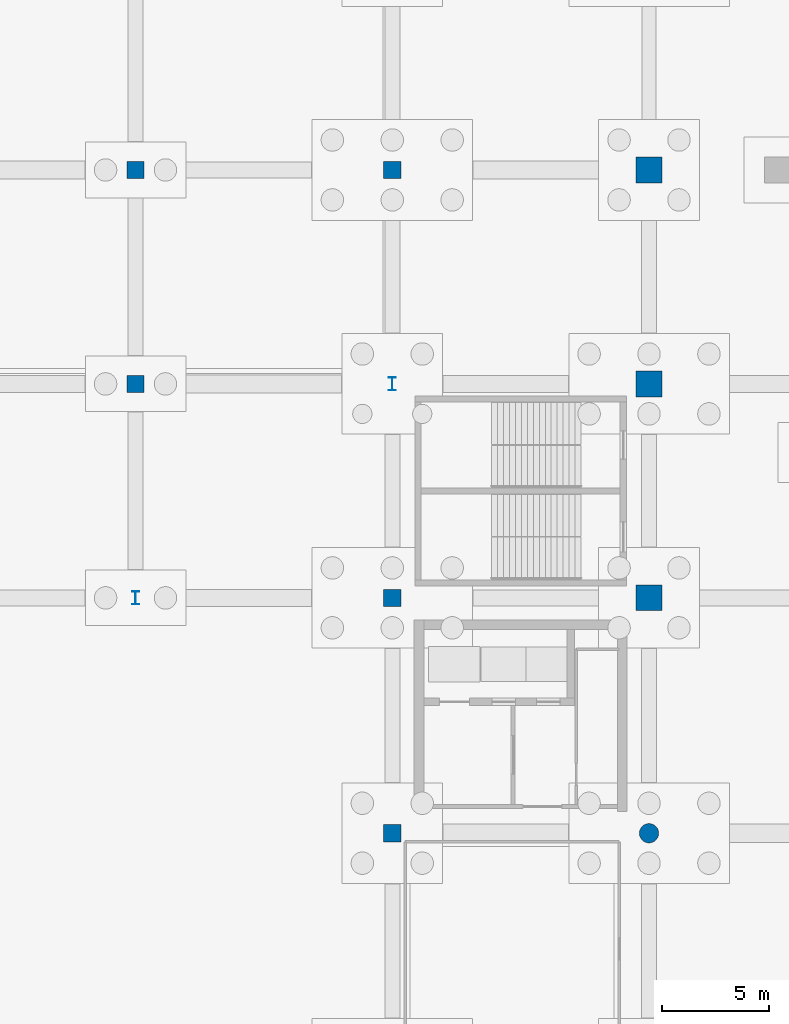
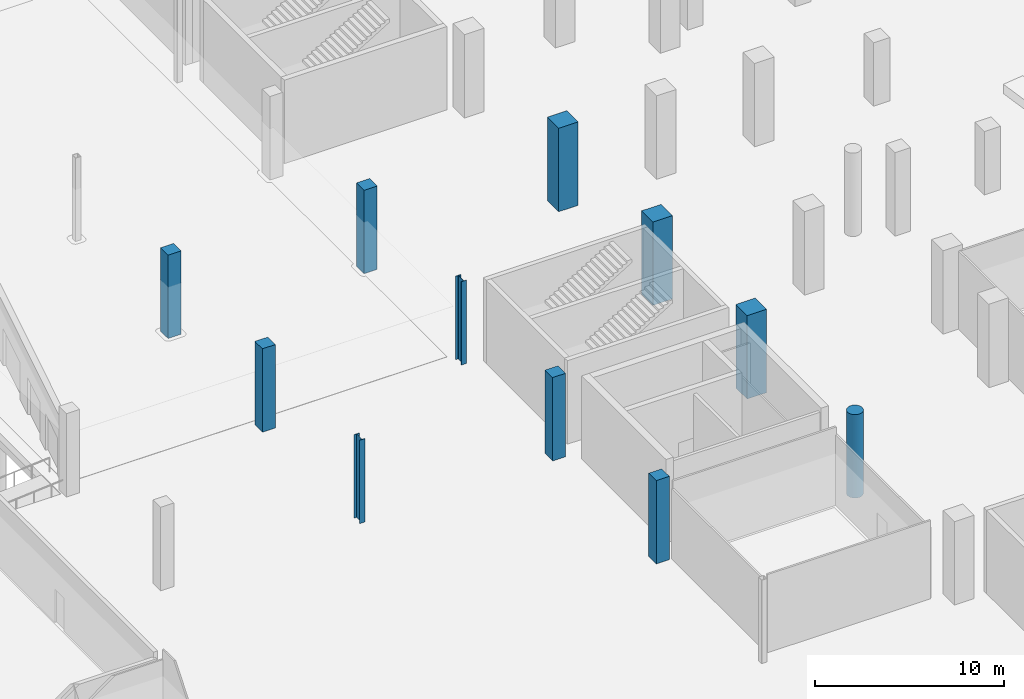
# One storey, part 13 of 70: 11 columns.
"""IFC4 building model written with IfcOpenShell, lengths in metres."""

from ifc_helpers import new_model, si_unit, direction, frame, origin, origin_2d, place, context, subcontext, project, spatial, rectangle, circle, i_section, extrude, material, material_profile, profile_set, type_object, element, save


model = new_model("IFC4")

# Units and contexts
model_context = context("Model", 3, precision=1e-05, world=origin(), true_north=direction((0.0, 1.0)))
body_context = subcontext(model_context, "Body", "Model", "MODEL_VIEW")
ifc_project = project(units=[si_unit("LENGTHUNIT", "METRE"), si_unit("AREAUNIT", "SQUARE_METRE"), si_unit("VOLUMEUNIT", "CUBIC_METRE"), si_unit("PLANEANGLEUNIT", "RADIAN"), si_unit("MASSUNIT", "GRAM", prefix="KILO")], contexts=[model_context])

# Site, building, storey
site_placement = place(None, origin())
site = spatial("IfcSite", under=ifc_project, at=site_placement, CompositionType="ELEMENT")
building_placement = place(site_placement, origin())
building = spatial("IfcBuilding", under=site, at=building_placement, Name="Brinegate Civic Arena", CompositionType="ELEMENT")
storey_placement = place(building_placement, origin())
storey = spatial("IfcBuildingStorey", under=building, at=storey_placement, Name="L00", CompositionType="ELEMENT", Elevation=0.0)

# Columns
ifc_material_1 = material(Name="Concrete C50/60", Category="concrete")
ifc_material_profile_1 = material_profile(ifc_material_1, rectangle(XDim=1.199951171875, YDim=1.199951171875, at=origin_2d()), Name="RC1200X1200")
ifc_profile_set_1 = profile_set([ifc_material_profile_1], Name="Concrete C50/60")
column_type_1 = type_object("IfcColumnType", Name="COL-CC01-1200", PredefinedType="COLUMN", material=ifc_profile_set_1)
for number, where, z_axis, x_axis, name in (
    (1, (60.0, 42.0, 0.0), (0.0, 0.0, 1.0), (1.0, 0.0, 0.0), "Column COL-L00-6-E"),
    (2, (60.0, 52.0, 0.0), (0.0, 0.0, 1.0), (1.0, 0.0, 0.0), "Column COL-L00-6-F"),
    (3, (60.0, 62.0, 0.0), (0.0, 0.0, 1.0), (1.0, 0.0, 0.0), "Column COL-L00-6-G"),
):
    element("IfcColumn", number, at=place(storey_placement, frame(where, z_axis=z_axis, x_axis=x_axis)), inside=storey, type_object=column_type_1, Name=name, PredefinedType="COLUMN", context=body_context, shape_type="SweptSolid", body=[
        extrude(rectangle(XDim=1.199951171875, YDim=1.199951171875, at=origin_2d()), origin(), (0.0, 0.0, 1.0), 5.39990234375),
    ])
ifc_material_profile_2 = material_profile(ifc_material_1, rectangle(XDim=0.800048828125, YDim=0.800048828125, at=origin_2d()), Name="RC800X800")
ifc_profile_set_2 = profile_set([ifc_material_profile_2], Name="Concrete C50/60")
column_type_2 = type_object("IfcColumnType", Name="COL-CC07-800", PredefinedType="COLUMN", material=ifc_profile_set_2)
for number, where, z_axis, x_axis, name in (
    (4, (36.0, 52.0, 0.0), (0.0, 0.0, 1.0), (1.0, 0.0, 0.0), "Column COL-L00-4-F"),
    (5, (36.0, 62.0, 0.0), (0.0, 0.0, 1.0), (1.0, 0.0, 0.0), "Column COL-L00-4-G"),
    (6, (48.0, 31.0, 0.0), (0.0, 0.0, 1.0), (1.0, 0.0, 0.0), "Column COL-L00-5-D"),
    (7, (48.0, 42.0, 0.0), (0.0, 0.0, 1.0), (1.0, 0.0, 0.0), "Column COL-L00-5-E"),
    (8, (48.0, 62.0, 0.0), (0.0, 0.0, 1.0), (1.0, 0.0, 0.0), "Column COL-L00-5-G"),
):
    element("IfcColumn", number, at=place(storey_placement, frame(where, z_axis=z_axis, x_axis=x_axis)), inside=storey, type_object=column_type_2, Name=name, PredefinedType="COLUMN", context=body_context, shape_type="SweptSolid", body=[
        extrude(rectangle(XDim=0.800048828125, YDim=0.800048828125, at=origin_2d()), origin(), (0.0, 0.0, 1.0), 5.39990234375),
    ])
ifc_material_profile_3 = material_profile(ifc_material_1, circle(Radius=0.449951171875, at=origin_2d()), Name="RCD900")
ifc_profile_set_3 = profile_set([ifc_material_profile_3], Name="Concrete C50/60")
column_type_3 = type_object("IfcColumnType", Name="COL-CC12-D900", PredefinedType="COLUMN", material=ifc_profile_set_3)
column_placement = place(storey_placement, frame((60.0, 31.0, 0.0), z_axis=(0.0, 0.0, 1.0), x_axis=(1.0, 0.0, 0.0)))
element("IfcColumn", 9, at=column_placement, inside=storey, type_object=column_type_3, Name="Column COL-L00-6-D", PredefinedType="COLUMN", context=body_context, shape_type="SweptSolid", body=[
    extrude(circle(Radius=0.449951171875, at=origin_2d()), origin(), (0.0, 0.0, 1.0), 5.39990234375),
])
ifc_material_2 = material(Name="Steel S355", Category="steel")
ifc_material_profile_4 = material_profile(ifc_material_2, i_section(OverallWidth=0.323974609375, OverallDepth=0.611083984375, WebThickness=0.012939453125, FlangeThickness=0.01904296875, FilletRadius=0.01611328125, at=origin_2d()), Name="W610X155")
ifc_profile_set_4 = profile_set([ifc_material_profile_4], Name="Steel S355")
column_type_4 = type_object("IfcColumnType", Name="COL-SC01-W610", PredefinedType="COLUMN", material=ifc_profile_set_4)
for number, where, z_axis, x_axis, name in (
    (10, (36.0, 42.0, 0.0), (0.0, 0.0, 1.0), (1.0, 0.0, 0.0), "Column COL-L00-4-E"),
    (11, (48.0, 52.0, 0.0), (0.0, 0.0, 1.0), (1.0, 0.0, 0.0), "Column COL-L00-5-F"),
):
    element("IfcColumn", number, at=place(storey_placement, frame(where, z_axis=z_axis, x_axis=x_axis)), inside=storey, type_object=column_type_4, Name=name, PredefinedType="COLUMN", context=body_context, shape_type="SweptSolid", body=[
        extrude(i_section(OverallWidth=0.323974609375, OverallDepth=0.611083984375, WebThickness=0.012939453125, FlangeThickness=0.01904296875, FilletRadius=0.01611328125, at=origin_2d()), origin(), (0.0, 0.0, 1.0), 5.39990234375),
    ])

save(model, "model.ifc")
